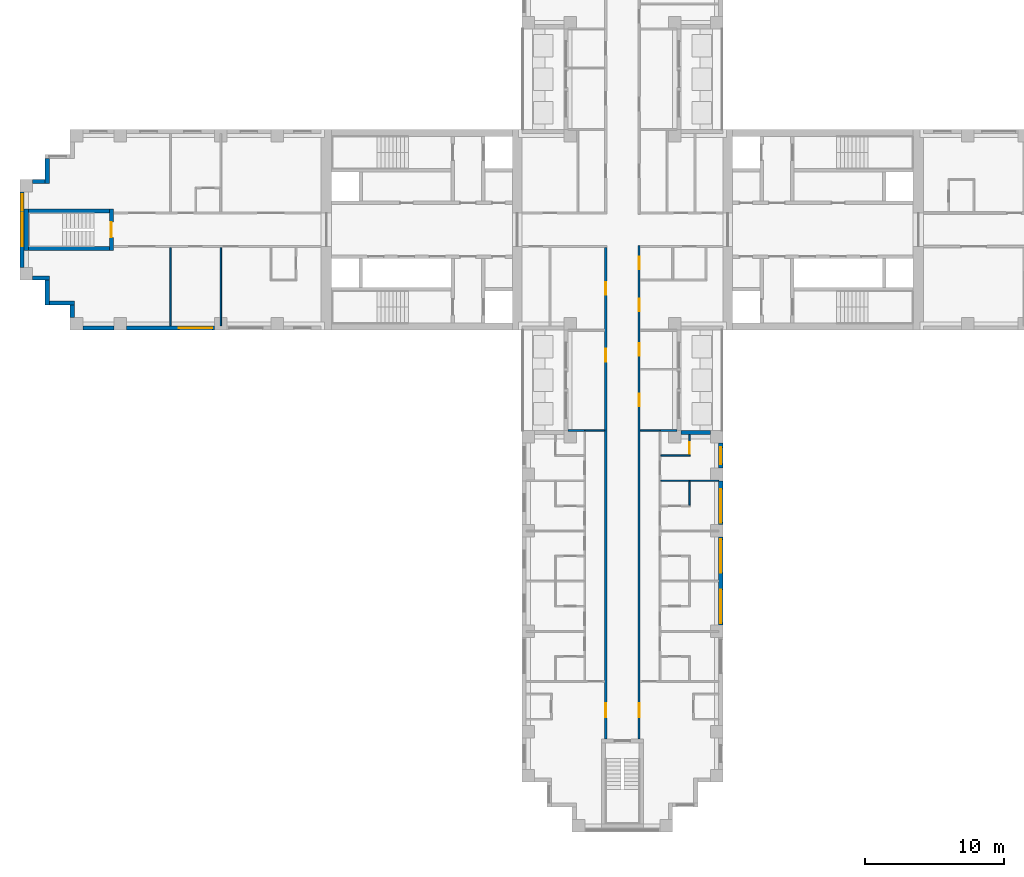
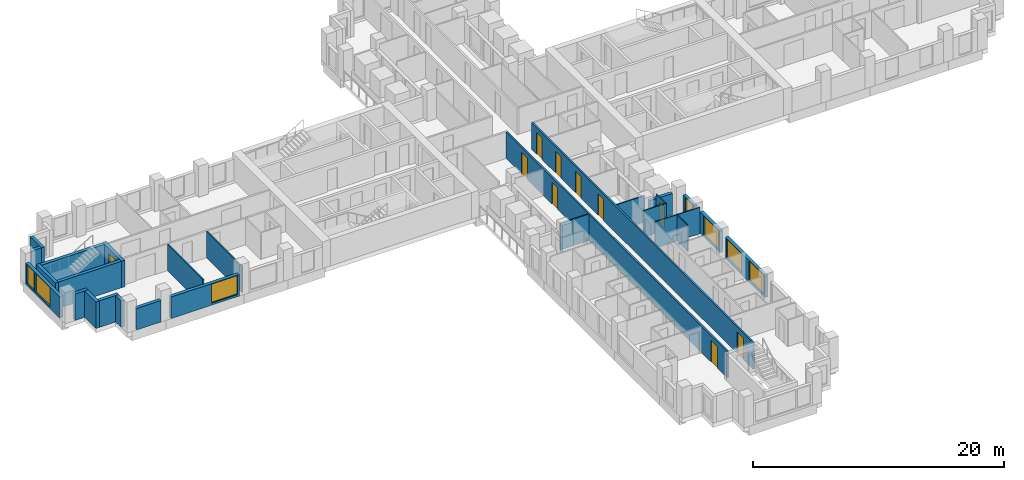
# One storey, part 5 of 14: 29 walls, 10 doors, 7 windows, 17 openings.
"""IFC4 building model written with IfcOpenShell, lengths in metres."""

from ifc_helpers import new_model, si_unit, direction, frame, frame_2d, origin, place, context, subcontext, project, spatial, rectangle, extrude, material, layer, layer_set, type_object, element, fill, save


model = new_model("IFC4")

# Units and contexts
model_context = context("Model", 3, precision=1e-05, world=origin(), true_north=direction((0.0, 1.0)))
body_context = subcontext(model_context, "Body", "Model", "MODEL_VIEW")
ifc_project = project(units=[si_unit("LENGTHUNIT", "METRE"), si_unit("AREAUNIT", "SQUARE_METRE"), si_unit("VOLUMEUNIT", "CUBIC_METRE"), si_unit("PLANEANGLEUNIT", "RADIAN"), si_unit("MASSUNIT", "GRAM", prefix="KILO")], contexts=[model_context])

# Site, building, storey
site_placement = place(None, origin())
site = spatial("IfcSite", under=ifc_project, at=site_placement, CompositionType="ELEMENT")
building_placement = place(site_placement, origin())
building = spatial("IfcBuilding", under=site, at=building_placement, Name="Fustian Cross Tower", CompositionType="ELEMENT")
storey_placement = place(building_placement, frame((0.0, 0.0, 96.89990234375)))
storey = spatial("IfcBuildingStorey", under=building, at=storey_placement, Name="L30", CompositionType="ELEMENT", Elevation=96.89990234375)

# Wall, openings, doors
ifc_material_1 = material(Name="Plasterboard on steel stud", Category="steel")
ifc_layer_1 = layer(ifc_material_1, 0.14990234375)
ifc_layer_set_1 = layer_set([ifc_layer_1], Name="Plasterboard on steel stud")
wall_type_1 = type_object("IfcWallType", Name="COMPARTMENT WALL 150 EI 60", PredefinedType="PARTITIONING", material=ifc_layer_set_1)
wall_1_placement = place(storey_placement, frame((-1.199951171875, -36.5, 0.0), z_axis=(0.0, 0.0, 1.0), x_axis=(0.0, 1.0, 0.0)))
wall_1 = element("IfcWall", 1, at=wall_1_placement, inside=storey, type_object=wall_type_1, Name="Partition 41", PredefinedType="PARTITIONING", context=body_context, shape_type="SweptSolid", body=[
    extrude(rectangle(XDim=35.22509765625, YDim=0.14990234375, at=frame_2d((17.612548828125, 0.0))), origin(), (0.0, 0.0, 1.0), 2.5751953125),
])
opening_1_placement = place(wall_1_placement, frame((31.85009765625, 0.0, 0.0)))
opening_1 = element("IfcOpeningElement", 2, at=opening_1_placement, cuts=wall_1, Name="Opening D14009", PredefinedType="OPENING", context=body_context, shape_type="SweptSolid", body=[
    extrude(rectangle(XDim=0.89990234375, YDim=2.10009765625, at=frame_2d((0.449951171875, 1.050048828125))), frame((0.0, 0.0849609375, 0.0), z_axis=(0.0, -1.0, 0.0), x_axis=(1.0, 0.0, 0.0)), (0.0, 0.0, 1.0), 0.169921875),
])
opening_2_placement = place(wall_1_placement, frame((27.050048828125, 0.0, 0.0)))
opening_2 = element("IfcOpeningElement", 3, at=opening_2_placement, cuts=wall_1, Name="Opening D14050", PredefinedType="OPENING", context=body_context, shape_type="SweptSolid", body=[
    extrude(rectangle(XDim=0.89990234375, YDim=2.10009765625, at=frame_2d((0.449951171875, 1.050048828125))), frame((0.0, 0.0849609375, 0.0), z_axis=(0.0, -1.0, 0.0), x_axis=(1.0, 0.0, 0.0)), (0.0, 0.0, 1.0), 0.169921875),
])
opening_3_placement = place(wall_1_placement, frame((1.550048828125, 0.0, 0.0)))
opening_3 = element("IfcOpeningElement", 4, at=opening_3_placement, cuts=wall_1, Name="Opening D14052", PredefinedType="OPENING", context=body_context, shape_type="SweptSolid", body=[
    extrude(rectangle(XDim=1.0, YDim=2.10009765625, at=frame_2d((0.5, 1.050048828125))), frame((0.0, 0.0849609375, 0.0), z_axis=(0.0, -1.0, 0.0), x_axis=(1.0, 0.0, 0.0)), (0.0, 0.0, 1.0), 0.169921875),
])
ifc_material_2 = material(Name="Timber fire door set", Category="wood")
door_type_1 = type_object("IfcDoorType", Name="FIRE SWING DOOR 1000 FD30S", OperationType="SINGLE_SWING_LEFT", PredefinedType="DOOR", material=ifc_material_2)
door_1_placement = place(opening_3_placement, origin())
door_1 = element("IfcDoor", 5, at=door_1_placement, inside=storey, type_object=door_type_1, Name="Door D14052", OperationType="SINGLE_SWING_RIGHT", OverallHeight=2.10009765625, OverallWidth=1.0, PredefinedType="DOOR", context=body_context, shape_type="SweptSolid", body=[
    extrude(rectangle(XDim=1.0, YDim=2.10009765625, at=frame_2d((0.5, 1.050048828125))), frame((0.0, 0.02490234375, 0.0), z_axis=(0.0, -1.0, 0.0), x_axis=(1.0, 0.0, 0.0)), (0.0, 0.0, 1.0), 0.050048828125),
])
fill(opening_3, door_1)
ifc_material_3 = material(Name="Timber fire door set", Category="wood")
door_type_2 = type_object("IfcDoorType", Name="FIRE SWING DOOR 900 FD30S", OperationType="SINGLE_SWING_LEFT", PredefinedType="DOOR", material=ifc_material_3)
door_2_placement = place(opening_1_placement, origin())
door_2 = element("IfcDoor", 6, at=door_2_placement, inside=storey, type_object=door_type_2, Name="Door D14009", OperationType="SINGLE_SWING_LEFT", OverallHeight=2.10009765625, OverallWidth=0.89990234375, PredefinedType="DOOR", context=body_context, shape_type="SweptSolid", body=[
    extrude(rectangle(XDim=0.89990234375, YDim=2.10009765625, at=frame_2d((0.449951171875, 1.050048828125))), frame((0.0, 0.02490234375, 0.0), z_axis=(0.0, -1.0, 0.0), x_axis=(1.0, 0.0, 0.0)), (0.0, 0.0, 1.0), 0.050048828125),
])
fill(opening_1, door_2)
door_3_placement = place(opening_2_placement, origin())
door_3 = element("IfcDoor", 7, at=door_3_placement, inside=storey, type_object=door_type_2, Name="Door D14050", OperationType="SINGLE_SWING_RIGHT", OverallHeight=2.10009765625, OverallWidth=0.89990234375, PredefinedType="DOOR", context=body_context, shape_type="SweptSolid", body=[
    extrude(rectangle(XDim=0.89990234375, YDim=2.10009765625, at=frame_2d((0.449951171875, 1.050048828125))), frame((0.0, 0.02490234375, 0.0), z_axis=(0.0, -1.0, 0.0), x_axis=(1.0, 0.0, 0.0)), (0.0, 0.0, 1.0), 0.050048828125),
])
fill(opening_2, door_3)

wall_2_placement = place(storey_placement, frame((1.199951171875, -36.5, 0.0), z_axis=(0.0, 0.0, 1.0), x_axis=(0.0, 1.0, 0.0)))
wall_2 = element("IfcWall", 8, at=wall_2_placement, inside=storey, type_object=wall_type_1, Name="Partition 43", PredefinedType="PARTITIONING", context=body_context, shape_type="SweptSolid", body=[
    extrude(rectangle(XDim=35.375, YDim=0.14990234375, at=frame_2d((17.6875, 0.0))), origin(), (0.0, 0.0, 1.0), 2.5751953125),
])
opening_4_placement = place(wall_2_placement, frame((33.64990234375, 0.0, 0.0)))
opening_4 = element("IfcOpeningElement", 9, at=opening_4_placement, cuts=wall_2, Name="Opening D14006", PredefinedType="OPENING", context=body_context, shape_type="SweptSolid", body=[
    extrude(rectangle(XDim=0.89990234375, YDim=2.10009765625, at=frame_2d((0.449951171875, 1.050048828125))), frame((0.0, 0.0849609375, 0.0), z_axis=(0.0, -1.0, 0.0), x_axis=(1.0, 0.0, 0.0)), (0.0, 0.0, 1.0), 0.169921875),
])
opening_5_placement = place(wall_2_placement, frame((30.64990234375, 0.0, 0.0)))
opening_5 = element("IfcOpeningElement", 10, at=opening_5_placement, cuts=wall_2, Name="Opening D14008", PredefinedType="OPENING", context=body_context, shape_type="SweptSolid", body=[
    extrude(rectangle(XDim=0.89990234375, YDim=2.10009765625, at=frame_2d((0.449951171875, 1.050048828125))), frame((0.0, 0.0849609375, 0.0), z_axis=(0.0, -1.0, 0.0), x_axis=(1.0, 0.0, 0.0)), (0.0, 0.0, 1.0), 0.169921875),
])
opening_6_placement = place(wall_2_placement, frame((27.449951171875, 0.0, 0.0)))
opening_6 = element("IfcOpeningElement", 11, at=opening_6_placement, cuts=wall_2, Name="Opening D14035", PredefinedType="OPENING", context=body_context, shape_type="SweptSolid", body=[
    extrude(rectangle(XDim=0.89990234375, YDim=2.10009765625, at=frame_2d((0.449951171875, 1.050048828125))), frame((0.0, 0.0849609375, 0.0), z_axis=(0.0, -1.0, 0.0), x_axis=(1.0, 0.0, 0.0)), (0.0, 0.0, 1.0), 0.169921875),
])
opening_7_placement = place(wall_2_placement, frame((23.85009765625, 0.0, 0.0)))
opening_7 = element("IfcOpeningElement", 12, at=opening_7_placement, cuts=wall_2, Name="Opening D14036", PredefinedType="OPENING", context=body_context, shape_type="SweptSolid", body=[
    extrude(rectangle(XDim=0.89990234375, YDim=2.10009765625, at=frame_2d((0.449951171875, 1.050048828125))), frame((0.0, 0.0849609375, 0.0), z_axis=(0.0, -1.0, 0.0), x_axis=(1.0, 0.0, 0.0)), (0.0, 0.0, 1.0), 0.169921875),
])
opening_8_placement = place(wall_2_placement, frame((1.550048828125, 0.0, 0.0)))
opening_8 = element("IfcOpeningElement", 13, at=opening_8_placement, cuts=wall_2, Name="Opening D14038", PredefinedType="OPENING", context=body_context, shape_type="SweptSolid", body=[
    extrude(rectangle(XDim=1.0, YDim=2.10009765625, at=frame_2d((0.5, 1.050048828125))), frame((0.0, 0.0849609375, 0.0), z_axis=(0.0, -1.0, 0.0), x_axis=(1.0, 0.0, 0.0)), (0.0, 0.0, 1.0), 0.169921875),
])
door_4_placement = place(opening_8_placement, frame((1.0, 0.0, 0.0), z_axis=(0.0, 0.0, 1.0), x_axis=(-1.0, 0.0, 0.0)))
door_4 = element("IfcDoor", 14, at=door_4_placement, inside=storey, type_object=door_type_1, Name="Door D14038", OperationType="SINGLE_SWING_LEFT", OverallHeight=2.10009765625, OverallWidth=1.0, PredefinedType="DOOR", context=body_context, shape_type="SweptSolid", body=[
    extrude(rectangle(XDim=1.0, YDim=2.10009765625, at=frame_2d((0.5, 1.050048828125))), frame((0.0, 0.02490234375, 0.0), z_axis=(0.0, -1.0, 0.0), x_axis=(1.0, 0.0, 0.0)), (0.0, 0.0, 1.0), 0.050048828125),
])
fill(opening_8, door_4)
door_5_placement = place(opening_4_placement, frame((0.89990234375, 0.0, 0.0), z_axis=(0.0, 0.0, 1.0), x_axis=(-1.0, 0.0, 0.0)))
door_5 = element("IfcDoor", 15, at=door_5_placement, inside=storey, type_object=door_type_2, Name="Door D14006", OperationType="SINGLE_SWING_RIGHT", OverallHeight=2.10009765625, OverallWidth=0.89990234375, PredefinedType="DOOR", context=body_context, shape_type="SweptSolid", body=[
    extrude(rectangle(XDim=0.89990234375, YDim=2.10009765625, at=frame_2d((0.449951171875, 1.050048828125))), frame((0.0, 0.02490234375, 0.0), z_axis=(0.0, -1.0, 0.0), x_axis=(1.0, 0.0, 0.0)), (0.0, 0.0, 1.0), 0.050048828125),
])
fill(opening_4, door_5)
door_6_placement = place(opening_5_placement, frame((0.89990234375, 0.0, 0.0), z_axis=(0.0, 0.0, 1.0), x_axis=(-1.0, 0.0, 0.0)))
door_6 = element("IfcDoor", 16, at=door_6_placement, inside=storey, type_object=door_type_2, Name="Door D14008", OperationType="SINGLE_SWING_RIGHT", OverallHeight=2.10009765625, OverallWidth=0.89990234375, PredefinedType="DOOR", context=body_context, shape_type="SweptSolid", body=[
    extrude(rectangle(XDim=0.89990234375, YDim=2.10009765625, at=frame_2d((0.449951171875, 1.050048828125))), frame((0.0, 0.02490234375, 0.0), z_axis=(0.0, -1.0, 0.0), x_axis=(1.0, 0.0, 0.0)), (0.0, 0.0, 1.0), 0.050048828125),
])
fill(opening_5, door_6)
door_7_placement = place(opening_6_placement, frame((0.89990234375, 0.0, 0.0), z_axis=(0.0, 0.0, 1.0), x_axis=(-1.0, 0.0, 0.0)))
door_7 = element("IfcDoor", 17, at=door_7_placement, inside=storey, type_object=door_type_2, Name="Door D14035", OperationType="SINGLE_SWING_RIGHT", OverallHeight=2.10009765625, OverallWidth=0.89990234375, PredefinedType="DOOR", context=body_context, shape_type="SweptSolid", body=[
    extrude(rectangle(XDim=0.89990234375, YDim=2.10009765625, at=frame_2d((0.449951171875, 1.050048828125))), frame((0.0, 0.02490234375, 0.0), z_axis=(0.0, -1.0, 0.0), x_axis=(1.0, 0.0, 0.0)), (0.0, 0.0, 1.0), 0.050048828125),
])
fill(opening_6, door_7)
door_8_placement = place(opening_7_placement, frame((0.89990234375, 0.0, 0.0), z_axis=(0.0, 0.0, 1.0), x_axis=(-1.0, 0.0, 0.0)))
door_8 = element("IfcDoor", 18, at=door_8_placement, inside=storey, type_object=door_type_2, Name="Door D14036", OperationType="SINGLE_SWING_RIGHT", OverallHeight=2.10009765625, OverallWidth=0.89990234375, PredefinedType="DOOR", context=body_context, shape_type="SweptSolid", body=[
    extrude(rectangle(XDim=0.89990234375, YDim=2.10009765625, at=frame_2d((0.449951171875, 1.050048828125))), frame((0.0, 0.02490234375, 0.0), z_axis=(0.0, -1.0, 0.0), x_axis=(1.0, 0.0, 0.0)), (0.0, 0.0, 1.0), 0.050048828125),
])
fill(opening_7, door_8)

# Walls
ifc_material_4 = material(Name="Plasterboard on steel stud", Category="steel")
ifc_layer_2 = layer(ifc_material_4, 0.10009765625)
ifc_layer_set_2 = layer_set([ifc_layer_2], Name="Plasterboard on steel stud")
wall_type_2 = type_object("IfcWallType", Name="PARTITION 100 STUD", PredefinedType="PARTITIONING", material=ifc_layer_set_2)
for number, where, z_axis, x_axis, name in (
    (19, (-32.39990234375, -6.89990234375, 0.0), (0.0, 0.0, 1.0), (0.0, 1.0, 0.0), "Partition 3"),
    (20, (-28.800048828125, -6.89990234375, 0.0), (0.0, 0.0, 1.0), (0.0, 1.0, 0.0), "Partition 7"),
):
    element("IfcWall", number, at=place(storey_placement, frame(where, z_axis=z_axis, x_axis=x_axis)), inside=storey, type_object=wall_type_2, Name=name, PredefinedType="PARTITIONING", context=body_context, shape_type="SweptSolid", body=[
        extrude(rectangle(XDim=5.625, YDim=0.10009765625, at=frame_2d((2.8125, 0.0))), origin(), (0.0, 0.0, 1.0), 2.5751953125),
    ])
for number, where, z_axis, x_axis, name in (
    (21, (-2.699951171875, -14.39990234375, 0.0), (0.0, 0.0, 1.0), (1.0, 0.0, 0.0), "Partition 40"),
    (22, (1.27490234375, -14.39990234375, 0.0), (0.0, 0.0, 1.0), (1.0, 0.0, 0.0), "Partition 45"),
):
    element("IfcWall", number, at=place(storey_placement, frame(where, z_axis=z_axis, x_axis=x_axis)), inside=storey, type_object=wall_type_2, Name=name, PredefinedType="PARTITIONING", context=body_context, shape_type="SweptSolid", body=[
        extrude(rectangle(XDim=1.425048828125, YDim=0.10009765625, at=frame_2d((0.71240234375, 0.0))), origin(), (0.0, 0.0, 1.0), 2.5751953125),
    ])
wall_3_placement = place(storey_placement, frame((2.75, -18.0, 0.0), z_axis=(0.0, 0.0, 1.0), x_axis=(1.0, 0.0, 0.0)))
element("IfcWall", 23, at=wall_3_placement, inside=storey, type_object=wall_type_2, Name="Partition 64", PredefinedType="PARTITIONING", context=body_context, shape_type="SweptSolid", body=[
    extrude(rectangle(XDim=4.14990234375, YDim=0.10009765625, at=frame_2d((2.074951171875, 0.0))), origin(), (0.0, 0.0, 1.0), 2.5751953125),
])
wall_4_placement = place(storey_placement, frame((2.75, -16.199951171875, 0.0), z_axis=(0.0, 0.0, 1.0), x_axis=(1.0, 0.0, 0.0)))
element("IfcWall", 24, at=wall_4_placement, inside=storey, type_object=wall_type_2, Name="Partition 65", PredefinedType="PARTITIONING", context=body_context, shape_type="SweptSolid", body=[
    extrude(rectangle(XDim=2.10009765625, YDim=0.10009765625, at=frame_2d((1.050048828125, 0.0))), origin(), (0.0, 0.0, 1.0), 2.5751953125),
])
wall_5_placement = place(storey_placement, frame((4.800048828125, -19.75, 0.0), z_axis=(0.0, 0.0, 1.0), x_axis=(0.0, 1.0, 0.0)))
element("IfcWall", 25, at=wall_5_placement, inside=storey, type_object=wall_type_2, Name="Partition 71", PredefinedType="PARTITIONING", context=body_context, shape_type="SweptSolid", body=[
    extrude(rectangle(XDim=1.699951171875, YDim=0.10009765625, at=frame_2d((0.85009765625, 0.0))), origin(), (0.0, 0.0, 1.0), 2.5751953125),
])

# Wall, opening, door
wall_6_placement = place(storey_placement, frame((4.800048828125, -16.14990234375, 0.0), z_axis=(0.0, 0.0, 1.0), x_axis=(0.0, 1.0, 0.0)))
wall_6 = element("IfcWall", 26, at=wall_6_placement, inside=storey, type_object=wall_type_2, Name="Partition 72", PredefinedType="PARTITIONING", context=body_context, shape_type="SweptSolid", body=[
    extrude(rectangle(XDim=1.449951171875, YDim=0.10009765625, at=frame_2d((0.72509765625, 0.0))), origin(), (0.0, 0.0, 1.0), 2.5751953125),
])
opening_9_placement = place(wall_6_placement, frame((0.10009765625, 0.0, 0.0)))
opening_9 = element("IfcOpeningElement", 27, at=opening_9_placement, cuts=wall_6, Name="Opening D14045", PredefinedType="OPENING", context=body_context, shape_type="SweptSolid", body=[
    extrude(rectangle(XDim=0.800048828125, YDim=2.10009765625, at=frame_2d((0.39990234375, 1.050048828125))), frame((0.0, 0.06005859375, 0.0), z_axis=(0.0, -1.0, 0.0), x_axis=(1.0, 0.0, 0.0)), (0.0, 0.0, 1.0), 0.1201171875),
])
ifc_material_5 = material(Name="Painted timber", Category="wood")
door_type_3 = type_object("IfcDoorType", Name="SWING DOOR 800", OperationType="SINGLE_SWING_LEFT", PredefinedType="DOOR", material=ifc_material_5)
door_9_placement = place(opening_9_placement, frame((0.800048828125, 0.0, 0.0), z_axis=(0.0, 0.0, 1.0), x_axis=(-1.0, 0.0, 0.0)))
door_9 = element("IfcDoor", 28, at=door_9_placement, inside=storey, type_object=door_type_3, Name="Door D14045", OperationType="SINGLE_SWING_LEFT", OverallHeight=2.10009765625, OverallWidth=0.800048828125, PredefinedType="DOOR", context=body_context, shape_type="SweptSolid", body=[
    extrude(rectangle(XDim=0.800048828125, YDim=2.10009765625, at=frame_2d((0.39990234375, 1.050048828125))), frame((0.0, 0.02490234375, 0.0), z_axis=(0.0, -1.0, 0.0), x_axis=(1.0, 0.0, 0.0)), (0.0, 0.0, 1.0), 0.050048828125),
])
fill(opening_9, door_9)

ifc_material_6 = material(Name="Concrete C50/60", Category="concrete")
ifc_layer_3 = layer(ifc_material_6, 0.300048828125)
ifc_layer_set_3 = layer_set([ifc_layer_3], Name="Concrete C50/60")
wall_type_3 = type_object("IfcWallType", Name="STAIR ENCLOSURE WALL 300 C50/60", PredefinedType="SHEAR", material=ifc_layer_set_3)
wall_7_placement = place(storey_placement, frame((-36.64990234375, -1.5, 0.0), z_axis=(0.0, 0.0, 1.0), x_axis=(0.0, 1.0, 0.0)))
wall_7 = element("IfcWall", 29, at=wall_7_placement, inside=storey, type_object=wall_type_3, Name="Stair enclosure wall", PredefinedType="SHEAR", context=body_context, shape_type="SweptSolid", body=[
    extrude(rectangle(XDim=3.0, YDim=0.300048828125, at=frame_2d((1.5, 0.0))), origin(), (0.0, 0.0, 1.0), 2.5751953125),
])
opening_10_placement = place(wall_7_placement, frame((0.949951171875, 0.0, 0.0)))
opening_10 = element("IfcOpeningElement", 30, at=opening_10_placement, cuts=wall_7, Name="Opening CD-09-31", PredefinedType="OPENING", context=body_context, shape_type="SweptSolid", body=[
    extrude(rectangle(XDim=1.10009765625, YDim=2.10009765625, at=frame_2d((0.550048828125, 1.050048828125))), frame((0.0, 0.159912109375, 0.0), z_axis=(0.0, -1.0, 0.0), x_axis=(1.0, 0.0, 0.0)), (0.0, 0.0, 1.0), 0.320068359375),
])
ifc_material_7 = material(Name="Steel", Category="steel")
door_type_4 = type_object("IfcDoorType", Name="FIRE DOOR FD60S 1100X2100", OperationType="SINGLE_SWING_LEFT", PredefinedType="DOOR", material=ifc_material_7)
door_10_placement = place(opening_10_placement, origin())
door_10 = element("IfcDoor", 31, at=door_10_placement, inside=storey, type_object=door_type_4, Name="Core door CD-09-31", OperationType="SINGLE_SWING_LEFT", OverallHeight=2.10009765625, OverallWidth=1.10009765625, PredefinedType="DOOR", context=body_context, shape_type="SweptSolid", body=[
    extrude(rectangle(XDim=1.10009765625, YDim=2.10009765625, at=frame_2d((0.550048828125, 1.050048828125))), frame((0.0, 0.02490234375, 0.0), z_axis=(0.0, -1.0, 0.0), x_axis=(1.0, 0.0, 0.0)), (0.0, 0.0, 1.0), 0.050048828125),
])
fill(opening_10, door_10)

# Walls
wall_8_placement = place(storey_placement, frame((-42.75, -1.5, 0.0), z_axis=(0.0, 0.0, 1.0), x_axis=(0.0, 1.0, 0.0)))
element("IfcWall", 32, at=wall_8_placement, inside=storey, type_object=wall_type_3, Name="Stair enclosure wall", PredefinedType="SHEAR", context=body_context, shape_type="SweptSolid", body=[
    extrude(rectangle(XDim=3.0, YDim=0.300048828125, at=frame_2d((1.5, 0.0))), origin(), (0.0, 0.0, 1.0), 2.5751953125),
])
for number, where, z_axis, x_axis, name in (
    (33, (-36.800048828125, -1.35009765625, 0.0), (0.0, 0.0, 1.0), (-1.0, 0.0, 0.0), "Stair enclosure wall"),
    (34, (-36.800048828125, 1.35009765625, 0.0), (0.0, 0.0, 1.0), (-1.0, 0.0, 0.0), "Stair enclosure wall"),
):
    element("IfcWall", number, at=place(storey_placement, frame(where, z_axis=z_axis, x_axis=x_axis)), inside=storey, type_object=wall_type_3, Name=name, PredefinedType="SHEAR", context=body_context, shape_type="SweptSolid", body=[
        extrude(rectangle(XDim=5.800048828125, YDim=0.300048828125, at=frame_2d((2.89990234375, 0.0))), origin(), (0.0, 0.0, 1.0), 2.5751953125),
    ])
ifc_material_8 = material(Name="Plasterboard on steel stud", Category="steel")
ifc_layer_4 = layer(ifc_material_8, 0.125)
ifc_layer_set_4 = layer_set([ifc_layer_4], Name="Plasterboard on steel stud")
wall_type_4 = type_object("IfcWallType", Name="WET WALL 125 STUD", PredefinedType="PARTITIONING", material=ifc_layer_set_4)
for number, where, z_axis, x_axis, name in (
    (35, (-3.89990234375, -14.39990234375, 0.0), (0.0, 0.0, 1.0), (1.0, 0.0, 0.0), "Partition 33"),
    (36, (2.699951171875, -14.39990234375, 0.0), (0.0, 0.0, 1.0), (1.0, 0.0, 0.0), "Partition 66"),
):
    element("IfcWall", number, at=place(storey_placement, frame(where, z_axis=z_axis, x_axis=x_axis)), inside=storey, type_object=wall_type_4, Name=name, PredefinedType="PARTITIONING", context=body_context, shape_type="SweptSolid", body=[
        extrude(rectangle(XDim=1.199951171875, YDim=0.125, at=frame_2d((0.60009765625, 0.0))), origin(), (0.0, 0.0, 1.0), 2.5751953125),
    ])
ifc_material_9 = material(Name="Dark aluminium cladding on insulated backing wall", Category="aluminium")
ifc_layer_5 = layer(ifc_material_9, 0.300048828125)
ifc_layer_set_5 = layer_set([ifc_layer_5], Name="Dark aluminium cladding on insulated backing wall")
wall_type_5 = type_object("IfcWallType", Name="XW1 EXTERNAL WALL 300", PredefinedType="SOLIDWALL", material=ifc_layer_set_5)
wall_9_placement = place(storey_placement, frame((-41.25, 5.10009765625, 0.0), z_axis=(0.0, 0.0, 1.0), x_axis=(0.0, -1.0, 0.0)))
element("IfcWall", 37, at=wall_9_placement, inside=storey, type_object=wall_type_5, Name="External wall", PredefinedType="SOLIDWALL", context=body_context, shape_type="SweptSolid", body=[
    extrude(rectangle(XDim=1.800048828125, YDim=0.300048828125, at=frame_2d((0.89990234375, 0.0))), origin(), (0.0, 0.0, 1.0), 2.5751953125),
])
wall_10_placement = place(storey_placement, frame((-41.39990234375, 3.449951171875, 0.0), z_axis=(0.0, 0.0, 1.0), x_axis=(-1.0, 0.0, 0.0)))
element("IfcWall", 38, at=wall_10_placement, inside=storey, type_object=wall_type_5, Name="External wall", PredefinedType="SOLIDWALL", context=body_context, shape_type="SweptSolid", body=[
    extrude(rectangle(XDim=0.900146484375, YDim=0.300048828125, at=frame_2d((0.4501953125, 0.0))), origin(), (0.0, 0.0, 1.0), 2.5751953125),
])

# Wall, openings, windows
wall_11_placement = place(storey_placement, frame((-43.050048828125, 2.699951171875, 0.0), z_axis=(0.0, 0.0, 1.0), x_axis=(0.0, -1.0, 0.0)))
wall_11 = element("IfcWall", 39, at=wall_11_placement, inside=storey, type_object=wall_type_5, Name="External wall", PredefinedType="SOLIDWALL", context=body_context, shape_type="SweptSolid", body=[
    extrude(rectangle(XDim=5.39990234375, YDim=0.300048828125, at=frame_2d((2.699951171875, 0.0))), origin(), (0.0, 0.0, 1.0), 2.10009765625),
])
opening_11_placement = place(wall_11_placement, frame((1.5, 0.0, 0.199951171875)))
opening_11 = element("IfcOpeningElement", 40, at=opening_11_placement, cuts=wall_11, Name="Opening WN1", PredefinedType="OPENING", context=body_context, shape_type="SweptSolid", body=[
    extrude(rectangle(XDim=2.39990234375, YDim=1.85009765625, at=frame_2d((1.199951171875, 0.925048828125))), frame((0.0, 0.159912109375, 0.0), z_axis=(0.0, -1.0, 0.0), x_axis=(1.0, 0.0, 0.0)), (0.0, 0.0, 1.0), 0.320068359375),
])
opening_12_placement = place(wall_11_placement, frame((0.14990234375, 0.0, 0.199951171875)))
opening_12 = element("IfcOpeningElement", 41, at=opening_12_placement, cuts=wall_11, Name="Opening WN3", PredefinedType="OPENING", context=body_context, shape_type="SweptSolid", body=[
    extrude(rectangle(XDim=1.199951171875, YDim=1.85009765625, at=frame_2d((0.60009765625, 0.925048828125))), frame((0.0, 0.159912109375, 0.0), z_axis=(0.0, -1.0, 0.0), x_axis=(1.0, 0.0, 0.0)), (0.0, 0.0, 1.0), 0.320068359375),
])
ifc_material_10 = material(Name="Dark anodised aluminium and double glazing", Category="aluminium")
window_type_1 = type_object("IfcWindowType", Name="WN1 WINDOW 2400X1850", PartitioningType="SINGLE_PANEL", PredefinedType="WINDOW", material=ifc_material_10)
window_1_placement = place(opening_11_placement, origin())
window_1 = element("IfcWindow", 42, at=window_1_placement, inside=storey, type_object=window_type_1, Name="Window", OverallHeight=1.85009765625, OverallWidth=2.39990234375, PartitioningType="SINGLE_PANEL", PredefinedType="WINDOW", context=body_context, shape_type="SweptSolid", body=[
    extrude(rectangle(XDim=2.39990234375, YDim=1.85009765625, at=frame_2d((1.199951171875, 0.925048828125))), frame((0.0, 0.030029296875, 0.0), z_axis=(0.0, -1.0, 0.0), x_axis=(1.0, 0.0, 0.0)), (0.0, 0.0, 1.0), 0.06005859375),
])
fill(opening_11, window_1)
ifc_material_11 = material(Name="Dark anodised aluminium and double glazing", Category="aluminium")
window_type_2 = type_object("IfcWindowType", Name="WN3 WINDOW 1200X1850", PartitioningType="SINGLE_PANEL", PredefinedType="WINDOW", material=ifc_material_11)
window_2_placement = place(opening_12_placement, origin())
window_2 = element("IfcWindow", 43, at=window_2_placement, inside=storey, type_object=window_type_2, Name="Window", OverallHeight=1.85009765625, OverallWidth=1.199951171875, PartitioningType="SINGLE_PANEL", PredefinedType="WINDOW", context=body_context, shape_type="SweptSolid", body=[
    extrude(rectangle(XDim=1.199951171875, YDim=1.85009765625, at=frame_2d((0.60009765625, 0.925048828125))), frame((0.0, 0.030029296875, 0.0), z_axis=(0.0, -1.0, 0.0), x_axis=(1.0, 0.0, 0.0)), (0.0, 0.0, 1.0), 0.06005859375),
])
fill(opening_12, window_2)

# Walls
wall_12_placement = place(storey_placement, frame((-42.300048828125, -3.449951171875, 0.0), z_axis=(0.0, 0.0, 1.0), x_axis=(1.0, 0.0, 0.0)))
element("IfcWall", 44, at=wall_12_placement, inside=storey, type_object=wall_type_5, Name="External wall", PredefinedType="SOLIDWALL", context=body_context, shape_type="SweptSolid", body=[
    extrude(rectangle(XDim=1.199951171875, YDim=0.300048828125, at=frame_2d((0.60009765625, 0.0))), origin(), (0.0, 0.0, 1.0), 2.5751953125),
])
wall_13_placement = place(storey_placement, frame((-41.25, -3.60009765625, 0.0), z_axis=(0.0, 0.0, 1.0), x_axis=(0.0, -1.0, 0.0)))
element("IfcWall", 45, at=wall_13_placement, inside=storey, type_object=wall_type_5, Name="External wall", PredefinedType="SOLIDWALL", context=body_context, shape_type="SweptSolid", body=[
    extrude(rectangle(XDim=1.7998046875, YDim=0.300048828125, at=frame_2d((0.89990234375, 0.0))), origin(), (0.0, 0.0, 1.0), 2.5751953125),
])
wall_14_placement = place(storey_placement, frame((-41.10009765625, -5.25, 0.0), z_axis=(0.0, 0.0, 1.0), x_axis=(1.0, 0.0, 0.0)))
element("IfcWall", 46, at=wall_14_placement, inside=storey, type_object=wall_type_5, Name="External wall", PredefinedType="SOLIDWALL", context=body_context, shape_type="SweptSolid", body=[
    extrude(rectangle(XDim=1.800048828125, YDim=0.300048828125, at=frame_2d((0.89990234375, 0.0))), origin(), (0.0, 0.0, 1.0), 2.5751953125),
])
wall_15_placement = place(storey_placement, frame((-39.449951171875, -5.39990234375, 0.0), z_axis=(0.0, 0.0, 1.0), x_axis=(0.0, -1.0, 0.0)))
element("IfcWall", 47, at=wall_15_placement, inside=storey, type_object=wall_type_5, Name="External wall", PredefinedType="SOLIDWALL", context=body_context, shape_type="SweptSolid", body=[
    extrude(rectangle(XDim=0.900146484375, YDim=0.300048828125, at=frame_2d((0.4501953125, 0.0))), origin(), (0.0, 0.0, 1.0), 2.5751953125),
])
wall_16_placement = place(storey_placement, frame((-38.699951171875, -7.050048828125, 0.0), z_axis=(0.0, 0.0, 1.0), x_axis=(1.0, 0.0, 0.0)))
element("IfcWall", 48, at=wall_16_placement, inside=storey, type_object=wall_type_5, Name="External wall", PredefinedType="SOLIDWALL", context=body_context, shape_type="SweptSolid", body=[
    extrude(rectangle(XDim=2.25, YDim=0.300048828125, at=frame_2d((1.125, 0.0))), origin(), (0.0, 0.0, 1.0), 2.10009765625),
])

# Wall, opening, window
wall_17_placement = place(storey_placement, frame((-35.550048828125, -7.050048828125, 0.0), z_axis=(0.0, 0.0, 1.0), x_axis=(1.0, 0.0, 0.0)))
wall_17 = element("IfcWall", 49, at=wall_17_placement, inside=storey, type_object=wall_type_5, Name="External wall", PredefinedType="SOLIDWALL", context=body_context, shape_type="SweptSolid", body=[
    extrude(rectangle(XDim=6.300048828125, YDim=0.300048828125, at=frame_2d((3.14990234375, 0.0))), origin(), (0.0, 0.0, 1.0), 2.10009765625),
])
opening_13_placement = place(wall_17_placement, frame((3.75, 0.0, 0.199951171875)))
opening_13 = element("IfcOpeningElement", 50, at=opening_13_placement, cuts=wall_17, Name="Opening WN1", PredefinedType="OPENING", context=body_context, shape_type="SweptSolid", body=[
    extrude(rectangle(XDim=2.39990234375, YDim=1.85009765625, at=frame_2d((1.199951171875, 0.925048828125))), frame((0.0, 0.159912109375, 0.0), z_axis=(0.0, -1.0, 0.0), x_axis=(1.0, 0.0, 0.0)), (0.0, 0.0, 1.0), 0.320068359375),
])
window_3_placement = place(opening_13_placement, origin())
window_3 = element("IfcWindow", 51, at=window_3_placement, inside=storey, type_object=window_type_1, Name="Window", OverallHeight=1.85009765625, OverallWidth=2.39990234375, PartitioningType="SINGLE_PANEL", PredefinedType="WINDOW", context=body_context, shape_type="SweptSolid", body=[
    extrude(rectangle(XDim=2.39990234375, YDim=1.85009765625, at=frame_2d((1.199951171875, 0.925048828125))), frame((0.0, 0.030029296875, 0.0), z_axis=(0.0, -1.0, 0.0), x_axis=(1.0, 0.0, 0.0)), (0.0, 0.0, 1.0), 0.06005859375),
])
fill(opening_13, window_3)

# Wall, openings, windows
wall_18_placement = place(storey_placement, frame((7.050048828125, -28.35009765625, 0.0), z_axis=(0.0, 0.0, 1.0), x_axis=(0.0, 1.0, 0.0)))
wall_18 = element("IfcWall", 52, at=wall_18_placement, inside=storey, type_object=wall_type_5, Name="External wall", PredefinedType="SOLIDWALL", context=body_context, shape_type="SweptSolid", body=[
    extrude(rectangle(XDim=6.300048828125, YDim=0.300048828125, at=frame_2d((3.14990234375, 0.0))), origin(), (0.0, 0.0, 1.0), 2.10009765625),
])
opening_14_placement = place(wall_18_placement, frame((0.14990234375, 0.0, 0.199951171875)))
opening_14 = element("IfcOpeningElement", 53, at=opening_14_placement, cuts=wall_18, Name="Opening WN1", PredefinedType="OPENING", context=body_context, shape_type="SweptSolid", body=[
    extrude(rectangle(XDim=2.39990234375, YDim=1.85009765625, at=frame_2d((1.199951171875, 0.925048828125))), frame((0.0, 0.159912109375, 0.0), z_axis=(0.0, -1.0, 0.0), x_axis=(1.0, 0.0, 0.0)), (0.0, 0.0, 1.0), 0.320068359375),
])
opening_15_placement = place(wall_18_placement, frame((3.75, 0.0, 0.199951171875)))
opening_15 = element("IfcOpeningElement", 54, at=opening_15_placement, cuts=wall_18, Name="Opening WN1", PredefinedType="OPENING", context=body_context, shape_type="SweptSolid", body=[
    extrude(rectangle(XDim=2.39990234375, YDim=1.85009765625, at=frame_2d((1.199951171875, 0.925048828125))), frame((0.0, 0.159912109375, 0.0), z_axis=(0.0, -1.0, 0.0), x_axis=(1.0, 0.0, 0.0)), (0.0, 0.0, 1.0), 0.320068359375),
])
window_4_placement = place(opening_14_placement, origin())
window_4 = element("IfcWindow", 55, at=window_4_placement, inside=storey, type_object=window_type_1, Name="Window", OverallHeight=1.85009765625, OverallWidth=2.39990234375, PartitioningType="SINGLE_PANEL", PredefinedType="WINDOW", context=body_context, shape_type="SweptSolid", body=[
    extrude(rectangle(XDim=2.39990234375, YDim=1.85009765625, at=frame_2d((1.199951171875, 0.925048828125))), frame((0.0, 0.030029296875, 0.0), z_axis=(0.0, -1.0, 0.0), x_axis=(1.0, 0.0, 0.0)), (0.0, 0.0, 1.0), 0.06005859375),
])
fill(opening_14, window_4)
window_5_placement = place(opening_15_placement, origin())
window_5 = element("IfcWindow", 56, at=window_5_placement, inside=storey, type_object=window_type_1, Name="Window", OverallHeight=1.85009765625, OverallWidth=2.39990234375, PartitioningType="SINGLE_PANEL", PredefinedType="WINDOW", context=body_context, shape_type="SweptSolid", body=[
    extrude(rectangle(XDim=2.39990234375, YDim=1.85009765625, at=frame_2d((1.199951171875, 0.925048828125))), frame((0.0, 0.030029296875, 0.0), z_axis=(0.0, -1.0, 0.0), x_axis=(1.0, 0.0, 0.0)), (0.0, 0.0, 1.0), 0.06005859375),
])
fill(opening_15, window_5)

# Wall, opening, window
wall_19_placement = place(storey_placement, frame((7.050048828125, -21.14990234375, 0.0), z_axis=(0.0, 0.0, 1.0), x_axis=(0.0, 1.0, 0.0)))
wall_19 = element("IfcWall", 57, at=wall_19_placement, inside=storey, type_object=wall_type_5, Name="External wall", PredefinedType="SOLIDWALL", context=body_context, shape_type="SweptSolid", body=[
    extrude(rectangle(XDim=3.14990234375, YDim=0.300048828125, at=frame_2d((1.574951171875, 0.0))), origin(), (0.0, 0.0, 1.0), 2.10009765625),
])
opening_16_placement = place(wall_19_placement, frame((0.14990234375, 0.0, 0.199951171875)))
opening_16 = element("IfcOpeningElement", 58, at=opening_16_placement, cuts=wall_19, Name="Opening WN1", PredefinedType="OPENING", context=body_context, shape_type="SweptSolid", body=[
    extrude(rectangle(XDim=2.39990234375, YDim=1.85009765625, at=frame_2d((1.199951171875, 0.925048828125))), frame((0.0, 0.159912109375, 0.0), z_axis=(0.0, -1.0, 0.0), x_axis=(1.0, 0.0, 0.0)), (0.0, 0.0, 1.0), 0.320068359375),
])
window_6_placement = place(opening_16_placement, origin())
window_6 = element("IfcWindow", 59, at=window_6_placement, inside=storey, type_object=window_type_1, Name="Window", OverallHeight=1.85009765625, OverallWidth=2.39990234375, PartitioningType="SINGLE_PANEL", PredefinedType="WINDOW", context=body_context, shape_type="SweptSolid", body=[
    extrude(rectangle(XDim=2.39990234375, YDim=1.85009765625, at=frame_2d((1.199951171875, 0.925048828125))), frame((0.0, 0.030029296875, 0.0), z_axis=(0.0, -1.0, 0.0), x_axis=(1.0, 0.0, 0.0)), (0.0, 0.0, 1.0), 0.06005859375),
])
fill(opening_16, window_6)

wall_20_placement = place(storey_placement, frame((7.050048828125, -17.10009765625, 0.0), z_axis=(0.0, 0.0, 1.0), x_axis=(0.0, 1.0, 0.0)))
wall_20 = element("IfcWall", 60, at=wall_20_placement, inside=storey, type_object=wall_type_5, Name="External wall", PredefinedType="SOLIDWALL", context=body_context, shape_type="SweptSolid", body=[
    extrude(rectangle(XDim=1.800048828125, YDim=0.300048828125, at=frame_2d((0.89990234375, 0.0))), origin(), (0.0, 0.0, 1.0), 2.10009765625),
])
opening_17_placement = place(wall_20_placement, frame((0.300048828125, 0.0, 0.199951171875)))
opening_17 = element("IfcOpeningElement", 61, at=opening_17_placement, cuts=wall_20, Name="Opening WN3", PredefinedType="OPENING", context=body_context, shape_type="SweptSolid", body=[
    extrude(rectangle(XDim=1.199951171875, YDim=1.85009765625, at=frame_2d((0.60009765625, 0.925048828125))), frame((0.0, 0.159912109375, 0.0), z_axis=(0.0, -1.0, 0.0), x_axis=(1.0, 0.0, 0.0)), (0.0, 0.0, 1.0), 0.320068359375),
])
window_7_placement = place(opening_17_placement, origin())
window_7 = element("IfcWindow", 62, at=window_7_placement, inside=storey, type_object=window_type_2, Name="Window", OverallHeight=1.85009765625, OverallWidth=1.199951171875, PartitioningType="SINGLE_PANEL", PredefinedType="WINDOW", context=body_context, shape_type="SweptSolid", body=[
    extrude(rectangle(XDim=1.199951171875, YDim=1.85009765625, at=frame_2d((0.60009765625, 0.925048828125))), frame((0.0, 0.030029296875, 0.0), z_axis=(0.0, -1.0, 0.0), x_axis=(1.0, 0.0, 0.0)), (0.0, 0.0, 1.0), 0.06005859375),
])
fill(opening_17, window_7)

# Wall
wall_21_placement = place(storey_placement, frame((6.300048828125, -14.550048828125, 0.0), z_axis=(0.0, 0.0, 1.0), x_axis=(-1.0, 0.0, 0.0)))
element("IfcWall", 63, at=wall_21_placement, inside=storey, type_object=wall_type_5, Name="External wall", PredefinedType="SOLIDWALL", context=body_context, shape_type="SweptSolid", body=[
    extrude(rectangle(XDim=2.10009765625, YDim=0.300048828125, at=frame_2d((1.050048828125, 0.0))), origin(), (0.0, 0.0, 1.0), 2.10009765625),
])

save(model, "model.ifc")
